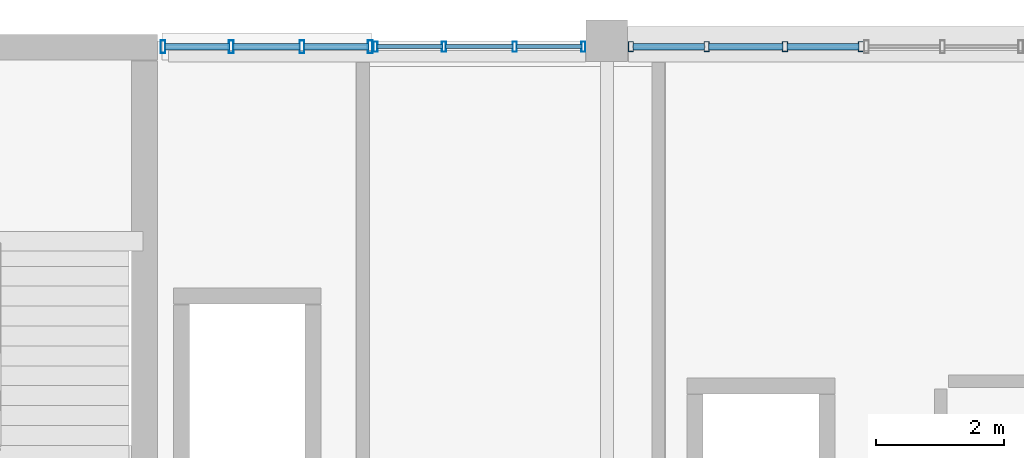
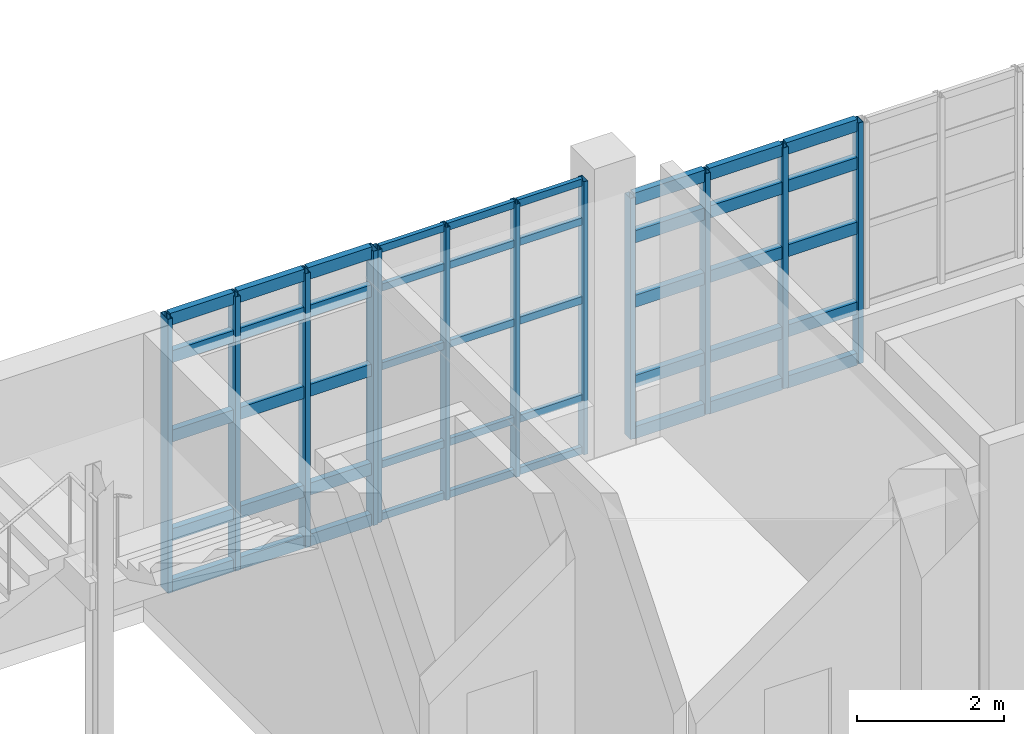
# One storey, part 44 of 100: 57 members, 3 elements without a shape of their own.
"""IFC4 building model written with IfcOpenShell, lengths in metres."""

from ifc_helpers import new_model, si_unit, derived_unit, direction, frame, origin, origin_2d, place, context, subcontext, project, spatial, hollow_rectangle, extrude, material, layer, layer_set, material_profile, profile_set, type_object, element, aggregate, save


model = new_model("IFC4")

# Units and contexts
model_context = context("Model", 3, precision=1e-05, world=origin(), true_north=direction((0.0, 1.0)))
body_context = subcontext(model_context, "Body", "Model", "MODEL_VIEW")
ifc_project = project(units=[si_unit("LENGTHUNIT", "METRE"), si_unit("AREAUNIT", "SQUARE_METRE"), si_unit("VOLUMEUNIT", "CUBIC_METRE"), si_unit("PLANEANGLEUNIT", "RADIAN"), si_unit("MASSUNIT", "GRAM", prefix="KILO"), derived_unit("THERMALTRANSMITTANCEUNIT", [(si_unit("POWERUNIT", "WATT"), 1), (si_unit("LENGTHUNIT", "METRE"), -2), (si_unit("THERMODYNAMICTEMPERATUREUNIT", "KELVIN"), -1)])], contexts=[model_context])

# Site, building, storey
site_placement = place(None, origin())
site = spatial("IfcSite", under=ifc_project, at=site_placement, CompositionType="ELEMENT")
building_placement = place(site_placement, origin())
building = spatial("IfcBuilding", under=site, at=building_placement, Name="Nallur Shell Playhouse", CompositionType="ELEMENT")
storey_placement = place(building_placement, frame((0.0, 0.0, 10.199951171875)))
storey = spatial("IfcBuildingStorey", under=building, at=storey_placement, Name="L03", CompositionType="ELEMENT", Elevation=10.199951171875)

# Curtain wall, members
ifc_material_1 = material(Name="Anodised Aluminium Double-Glazed Facade System", Category="aluminium")
ifc_layer_1 = layer(ifc_material_1, 0.176025390625)
ifc_layer_set_1 = layer_set([ifc_layer_1], Name="Anodised Aluminium Double-Glazed Facade System")
curtain_wall_type_1 = type_object("IfcCurtainWallType", Name="CW-UNIT-10", PredefinedType="NOTDEFINED", material=ifc_layer_set_1)
curtain_wall_1_placement = place(storey_placement, origin())
curtain_wall_1 = element("IfcCurtainWall", 1, at=curtain_wall_1_placement, inside=storey, type_object=curtain_wall_type_1, Name="Unitised curtain wall CW-074 (L03)", PredefinedType="NOTDEFINED")
ifc_material_2 = material(Name="Aluminium Alloy 6063-T6 Mullion", Category="aluminium")
ifc_material_profile_1 = material_profile(ifc_material_2, hollow_rectangle(XDim=0.080078125, YDim=0.159912109375, WallThickness=0.006103515625, at=origin_2d()), Name="RHS 160x80x6")
ifc_profile_set_1 = profile_set([ifc_material_profile_1], Name="Aluminium Alloy 6063-T6 Mullion")
member_type_1 = type_object("IfcMemberType", Name="MB-CW-MUL150", PredefinedType="MULLION", material=ifc_profile_set_1)
member_1_placement = place(storey_placement, frame((40.373046875, 82.909912109375, -0.014892578125), z_axis=(0.0, 0.0, 1.0), x_axis=(1.0, 0.0, 0.0)))
member_1 = element("IfcMember", 2, at=member_1_placement, type_object=member_type_1, Name="CW-10 mullion 1", PredefinedType="MULLION", context=body_context, shape_type="SweptSolid", body=[
    extrude(hollow_rectangle(XDim=0.080078125, YDim=0.159912109375, WallThickness=0.006103515625, at=origin_2d()), origin(), (0.0, 0.0, 1.0), 4.00390625),
])
member_2_placement = place(storey_placement, frame((41.5537109375, 82.909912109375, -0.014892578125), z_axis=(0.0, 0.0, 1.0), x_axis=(1.0, 0.0, 0.0)))
member_2 = element("IfcMember", 3, at=member_2_placement, type_object=member_type_1, Name="CW-10 mullion 2", PredefinedType="MULLION", context=body_context, shape_type="SweptSolid", body=[
    extrude(hollow_rectangle(XDim=0.080078125, YDim=0.159912109375, WallThickness=0.006103515625, at=origin_2d()), origin(), (0.0, 0.0, 1.0), 4.00390625),
])
member_3_placement = place(storey_placement, frame((42.7744140625, 82.909912109375, -0.014892578125), z_axis=(0.0, 0.0, 1.0), x_axis=(1.0, 0.0, 0.0)))
member_3 = element("IfcMember", 4, at=member_3_placement, type_object=member_type_1, Name="CW-10 mullion 3", PredefinedType="MULLION", context=body_context, shape_type="SweptSolid", body=[
    extrude(hollow_rectangle(XDim=0.080078125, YDim=0.159912109375, WallThickness=0.006103515625, at=origin_2d()), origin(), (0.0, 0.0, 1.0), 4.00390625),
])
member_4_placement = place(storey_placement, frame((43.955078125, 82.909912109375, -0.014892578125), z_axis=(0.0, 0.0, 1.0), x_axis=(1.0, 0.0, 0.0)))
member_4 = element("IfcMember", 5, at=member_4_placement, type_object=member_type_1, Name="CW-10 mullion 4", PredefinedType="MULLION", context=body_context, shape_type="SweptSolid", body=[
    extrude(hollow_rectangle(XDim=0.080078125, YDim=0.159912109375, WallThickness=0.006103515625, at=origin_2d()), origin(), (0.0, 0.0, 1.0), 4.00390625),
])

ifc_layer_2 = layer(ifc_material_1, 0.172119140625)
ifc_layer_set_2 = layer_set([ifc_layer_2], Name="Anodised Aluminium Double-Glazed Facade System")
curtain_wall_type_2 = type_object("IfcCurtainWallType", Name="CW-UNIT-09", PredefinedType="NOTDEFINED", material=ifc_layer_set_2)
curtain_wall_2_placement = place(storey_placement, origin())
curtain_wall_2 = element("IfcCurtainWall", 6, at=curtain_wall_2_placement, inside=storey, type_object=curtain_wall_type_2, Name="Unitised curtain wall CW-073 (L03)", PredefinedType="NOTDEFINED")
ifc_material_profile_2 = material_profile(ifc_material_2, hollow_rectangle(XDim=0.06494140625, YDim=0.159912109375, WallThickness=0.00390625, at=origin_2d()), Name="ALU 65x160x4")
ifc_profile_set_2 = profile_set([ifc_material_profile_2], Name="Aluminium Alloy 6063-T6 Mullion")
member_type_2 = type_object("IfcMemberType", Name="MB-CW-MUL160", PredefinedType="MULLION", material=ifc_profile_set_2)
member_5_placement = place(storey_placement, frame((36.39599609375, 82.909912109375, -0.014892578125), z_axis=(0.0, 0.0, 1.0), x_axis=(1.0, 0.0, 0.0)))
member_5 = element("IfcMember", 7, at=member_5_placement, type_object=member_type_2, Name="CW-09 mullion 1", PredefinedType="MULLION", context=body_context, shape_type="SweptSolid", body=[
    extrude(hollow_rectangle(XDim=0.06494140625, YDim=0.159912109375, WallThickness=0.00390625, at=origin_2d()), origin(), (0.0, 0.0, 1.0), 4.5390625),
])
member_6_placement = place(storey_placement, frame((37.464599609375, 82.909912109375, -0.014892578125), z_axis=(0.0, 0.0, 1.0), x_axis=(1.0, 0.0, 0.0)))
member_6 = element("IfcMember", 8, at=member_6_placement, type_object=member_type_2, Name="CW-09 mullion 2", PredefinedType="MULLION", context=body_context, shape_type="SweptSolid", body=[
    extrude(hollow_rectangle(XDim=0.06494140625, YDim=0.159912109375, WallThickness=0.00390625, at=origin_2d()), origin(), (0.0, 0.0, 1.0), 4.5390625),
])
member_7_placement = place(storey_placement, frame((38.56591796875, 82.909912109375, -0.014892578125), z_axis=(0.0, 0.0, 1.0), x_axis=(1.0, 0.0, 0.0)))
member_7 = element("IfcMember", 9, at=member_7_placement, type_object=member_type_2, Name="CW-09 mullion 3", PredefinedType="MULLION", context=body_context, shape_type="SweptSolid", body=[
    extrude(hollow_rectangle(XDim=0.06494140625, YDim=0.159912109375, WallThickness=0.00390625, at=origin_2d()), origin(), (0.0, 0.0, 1.0), 4.5390625),
])
member_8_placement = place(storey_placement, frame((39.634521484375, 82.909912109375, -0.014892578125), z_axis=(0.0, 0.0, 1.0), x_axis=(1.0, 0.0, 0.0)))
member_8 = element("IfcMember", 10, at=member_8_placement, type_object=member_type_2, Name="CW-09 mullion 4", PredefinedType="MULLION", context=body_context, shape_type="SweptSolid", body=[
    extrude(hollow_rectangle(XDim=0.06494140625, YDim=0.159912109375, WallThickness=0.00390625, at=origin_2d()), origin(), (0.0, 0.0, 1.0), 4.5390625),
])

ifc_layer_3 = layer(ifc_material_1, 0.16796875)
ifc_layer_set_3 = layer_set([ifc_layer_3], Name="Anodised Aluminium Double-Glazed Facade System")
curtain_wall_type_3 = type_object("IfcCurtainWallType", Name="CW-UNIT-08", PredefinedType="NOTDEFINED", material=ifc_layer_set_3)
curtain_wall_3_placement = place(storey_placement, origin())
curtain_wall_3 = element("IfcCurtainWall", 11, at=curtain_wall_3_placement, inside=storey, type_object=curtain_wall_type_3, Name="Unitised curtain wall CW-072 (L03)", PredefinedType="NOTDEFINED")
ifc_material_profile_3 = material_profile(ifc_material_2, hollow_rectangle(XDim=0.074951171875, YDim=0.199951171875, WallThickness=0.0048828125, at=origin_2d()), Name="ALU 75x200x5")
ifc_profile_set_3 = profile_set([ifc_material_profile_3], Name="Aluminium Alloy 6063-T6 Mullion")
member_type_3 = type_object("IfcMemberType", Name="MB-CW-MUL180", PredefinedType="MULLION", material=ifc_profile_set_3)
member_9_placement = place(storey_placement, frame((33.08740234375, 82.909912109375, -0.014892578125), z_axis=(0.0, 0.0, 1.0), x_axis=(1.0, 0.0, 0.0)))
member_9 = element("IfcMember", 12, at=member_9_placement, type_object=member_type_3, Name="CW-08 mullion 1", PredefinedType="MULLION", context=body_context, shape_type="SweptSolid", body=[
    extrude(hollow_rectangle(XDim=0.074951171875, YDim=0.199951171875, WallThickness=0.0048828125, at=origin_2d()), origin(), (0.0, 0.0, 1.0), 4.558837890625),
])
member_10_placement = place(storey_placement, frame((34.151123046875, 82.909912109375, -0.014892578125), z_axis=(0.0, 0.0, 1.0), x_axis=(1.0, 0.0, 0.0)))
member_10 = element("IfcMember", 13, at=member_10_placement, type_object=member_type_3, Name="CW-08 mullion 2", PredefinedType="MULLION", context=body_context, shape_type="SweptSolid", body=[
    extrude(hollow_rectangle(XDim=0.074951171875, YDim=0.199951171875, WallThickness=0.0048828125, at=origin_2d()), origin(), (0.0, 0.0, 1.0), 4.558837890625),
])
member_11_placement = place(storey_placement, frame((35.25244140625, 82.909912109375, -0.014892578125), z_axis=(0.0, 0.0, 1.0), x_axis=(1.0, 0.0, 0.0)))
member_11 = element("IfcMember", 14, at=member_11_placement, type_object=member_type_3, Name="CW-08 mullion 3", PredefinedType="MULLION", context=body_context, shape_type="SweptSolid", body=[
    extrude(hollow_rectangle(XDim=0.074951171875, YDim=0.199951171875, WallThickness=0.0048828125, at=origin_2d()), origin(), (0.0, 0.0, 1.0), 4.558837890625),
])
member_12_placement = place(storey_placement, frame((36.31591796875, 82.909912109375, -0.014892578125), z_axis=(0.0, 0.0, 1.0), x_axis=(1.0, 0.0, 0.0)))
member_12 = element("IfcMember", 15, at=member_12_placement, type_object=member_type_3, Name="CW-08 mullion 4", PredefinedType="MULLION", context=body_context, shape_type="SweptSolid", body=[
    extrude(hollow_rectangle(XDim=0.074951171875, YDim=0.199951171875, WallThickness=0.0048828125, at=origin_2d()), origin(), (0.0, 0.0, 1.0), 4.558837890625),
])

# Member
ifc_material_3 = material(Name="Aluminium Alloy 6063-T6 Transom", Category="aluminium")
ifc_material_profile_4 = material_profile(ifc_material_3, hollow_rectangle(XDim=0.06494140625, YDim=0.1201171875, WallThickness=0.00390625, at=origin_2d()), Name="ALU 65x120x4")
ifc_profile_set_4 = profile_set([ifc_material_profile_4], Name="Aluminium Alloy 6063-T6 Transom")
member_type_4 = type_object("IfcMemberType", Name="MB-CW-TRN120", PredefinedType="USERDEFINED", material=ifc_profile_set_4)
member_13_placement = place(storey_placement, frame((36.42041015625, 82.909912109375, 0.032470703125), z_axis=(1.0, 0.0, 0.0), x_axis=(0.0, 1.0, 0.0)))
member_13 = element("IfcMember", 16, at=member_13_placement, type_object=member_type_4, Name="CW-09 transom 1.1", ObjectType="TRANSOM", PredefinedType="USERDEFINED", context=body_context, shape_type="SweptSolid", body=[
    extrude(hollow_rectangle(XDim=0.06494140625, YDim=0.1201171875, WallThickness=0.00390625, at=origin_2d()), origin(), (0.0, 0.0, 1.0), 1.019775390625),
])

member_14_placement = place(storey_placement, frame((36.42041015625, 82.909912109375, 0.900146484375), z_axis=(1.0, 0.0, 0.0), x_axis=(0.0, 1.0, 0.0)))
member_14 = element("IfcMember", 17, at=member_14_placement, type_object=member_type_4, Name="CW-09 transom 1.2", ObjectType="TRANSOM", PredefinedType="USERDEFINED", context=body_context, shape_type="SweptSolid", body=[
    extrude(hollow_rectangle(XDim=0.06494140625, YDim=0.1201171875, WallThickness=0.00390625, at=origin_2d()), origin(), (0.0, 0.0, 1.0), 1.019775390625),
])

member_15_placement = place(storey_placement, frame((36.42041015625, 82.909912109375, 2.531005859375), z_axis=(1.0, 0.0, 0.0), x_axis=(0.0, 1.0, 0.0)))
member_15 = element("IfcMember", 18, at=member_15_placement, type_object=member_type_4, Name="CW-09 transom 1.3", ObjectType="TRANSOM", PredefinedType="USERDEFINED", context=body_context, shape_type="SweptSolid", body=[
    extrude(hollow_rectangle(XDim=0.06494140625, YDim=0.1201171875, WallThickness=0.00390625, at=origin_2d()), origin(), (0.0, 0.0, 1.0), 1.019775390625),
])

member_16_placement = place(storey_placement, frame((36.42041015625, 82.909912109375, 3.840087890625), z_axis=(1.0, 0.0, 0.0), x_axis=(0.0, 1.0, 0.0)))
member_16 = element("IfcMember", 19, at=member_16_placement, type_object=member_type_4, Name="CW-09 transom 1.4", ObjectType="TRANSOM", PredefinedType="USERDEFINED", context=body_context, shape_type="SweptSolid", body=[
    extrude(hollow_rectangle(XDim=0.06494140625, YDim=0.1201171875, WallThickness=0.00390625, at=origin_2d()), origin(), (0.0, 0.0, 1.0), 1.019775390625),
])

member_17_placement = place(storey_placement, frame((36.42041015625, 82.909912109375, 4.487548828125), z_axis=(1.0, 0.0, 0.0), x_axis=(0.0, 1.0, 0.0)))
member_17 = element("IfcMember", 20, at=member_17_placement, type_object=member_type_4, Name="CW-09 transom 1.5", ObjectType="TRANSOM", PredefinedType="USERDEFINED", context=body_context, shape_type="SweptSolid", body=[
    extrude(hollow_rectangle(XDim=0.06494140625, YDim=0.1201171875, WallThickness=0.00390625, at=origin_2d()), origin(), (0.0, 0.0, 1.0), 1.019775390625),
])

member_18_placement = place(storey_placement, frame((37.4892578125, 82.909912109375, 0.032470703125), z_axis=(1.0, 0.0, 0.0), x_axis=(0.0, 1.0, 0.0)))
member_18 = element("IfcMember", 21, at=member_18_placement, type_object=member_type_4, Name="CW-09 transom 2.1", ObjectType="TRANSOM", PredefinedType="USERDEFINED", context=body_context, shape_type="SweptSolid", body=[
    extrude(hollow_rectangle(XDim=0.06494140625, YDim=0.1201171875, WallThickness=0.00390625, at=origin_2d()), origin(), (0.0, 0.0, 1.0), 1.052001953125),
])

member_19_placement = place(storey_placement, frame((37.4892578125, 82.909912109375, 0.900146484375), z_axis=(1.0, 0.0, 0.0), x_axis=(0.0, 1.0, 0.0)))
member_19 = element("IfcMember", 22, at=member_19_placement, type_object=member_type_4, Name="CW-09 transom 2.2", ObjectType="TRANSOM", PredefinedType="USERDEFINED", context=body_context, shape_type="SweptSolid", body=[
    extrude(hollow_rectangle(XDim=0.06494140625, YDim=0.1201171875, WallThickness=0.00390625, at=origin_2d()), origin(), (0.0, 0.0, 1.0), 1.052001953125),
])

member_20_placement = place(storey_placement, frame((37.4892578125, 82.909912109375, 2.531005859375), z_axis=(1.0, 0.0, 0.0), x_axis=(0.0, 1.0, 0.0)))
member_20 = element("IfcMember", 23, at=member_20_placement, type_object=member_type_4, Name="CW-09 transom 2.3", ObjectType="TRANSOM", PredefinedType="USERDEFINED", context=body_context, shape_type="SweptSolid", body=[
    extrude(hollow_rectangle(XDim=0.06494140625, YDim=0.1201171875, WallThickness=0.00390625, at=origin_2d()), origin(), (0.0, 0.0, 1.0), 1.052001953125),
])

member_21_placement = place(storey_placement, frame((37.4892578125, 82.909912109375, 3.840087890625), z_axis=(1.0, 0.0, 0.0), x_axis=(0.0, 1.0, 0.0)))
member_21 = element("IfcMember", 24, at=member_21_placement, type_object=member_type_4, Name="CW-09 transom 2.4", ObjectType="TRANSOM", PredefinedType="USERDEFINED", context=body_context, shape_type="SweptSolid", body=[
    extrude(hollow_rectangle(XDim=0.06494140625, YDim=0.1201171875, WallThickness=0.00390625, at=origin_2d()), origin(), (0.0, 0.0, 1.0), 1.052001953125),
])

member_22_placement = place(storey_placement, frame((37.4892578125, 82.909912109375, 4.487548828125), z_axis=(1.0, 0.0, 0.0), x_axis=(0.0, 1.0, 0.0)))
member_22 = element("IfcMember", 25, at=member_22_placement, type_object=member_type_4, Name="CW-09 transom 2.5", ObjectType="TRANSOM", PredefinedType="USERDEFINED", context=body_context, shape_type="SweptSolid", body=[
    extrude(hollow_rectangle(XDim=0.06494140625, YDim=0.1201171875, WallThickness=0.00390625, at=origin_2d()), origin(), (0.0, 0.0, 1.0), 1.052001953125),
])

member_23_placement = place(storey_placement, frame((38.59033203125, 82.909912109375, 0.032470703125), z_axis=(1.0, 0.0, 0.0), x_axis=(0.0, 1.0, 0.0)))
member_23 = element("IfcMember", 26, at=member_23_placement, type_object=member_type_4, Name="CW-09 transom 3.1", ObjectType="TRANSOM", PredefinedType="USERDEFINED", context=body_context, shape_type="SweptSolid", body=[
    extrude(hollow_rectangle(XDim=0.06494140625, YDim=0.1201171875, WallThickness=0.00390625, at=origin_2d()), origin(), (0.0, 0.0, 1.0), 1.019775390625),
])

member_24_placement = place(storey_placement, frame((38.59033203125, 82.909912109375, 0.900146484375), z_axis=(1.0, 0.0, 0.0), x_axis=(0.0, 1.0, 0.0)))
member_24 = element("IfcMember", 27, at=member_24_placement, type_object=member_type_4, Name="CW-09 transom 3.2", ObjectType="TRANSOM", PredefinedType="USERDEFINED", context=body_context, shape_type="SweptSolid", body=[
    extrude(hollow_rectangle(XDim=0.06494140625, YDim=0.1201171875, WallThickness=0.00390625, at=origin_2d()), origin(), (0.0, 0.0, 1.0), 1.019775390625),
])

member_25_placement = place(storey_placement, frame((38.59033203125, 82.909912109375, 2.531005859375), z_axis=(1.0, 0.0, 0.0), x_axis=(0.0, 1.0, 0.0)))
member_25 = element("IfcMember", 28, at=member_25_placement, type_object=member_type_4, Name="CW-09 transom 3.3", ObjectType="TRANSOM", PredefinedType="USERDEFINED", context=body_context, shape_type="SweptSolid", body=[
    extrude(hollow_rectangle(XDim=0.06494140625, YDim=0.1201171875, WallThickness=0.00390625, at=origin_2d()), origin(), (0.0, 0.0, 1.0), 1.019775390625),
])

member_26_placement = place(storey_placement, frame((38.59033203125, 82.909912109375, 3.840087890625), z_axis=(1.0, 0.0, 0.0), x_axis=(0.0, 1.0, 0.0)))
member_26 = element("IfcMember", 29, at=member_26_placement, type_object=member_type_4, Name="CW-09 transom 3.4", ObjectType="TRANSOM", PredefinedType="USERDEFINED", context=body_context, shape_type="SweptSolid", body=[
    extrude(hollow_rectangle(XDim=0.06494140625, YDim=0.1201171875, WallThickness=0.00390625, at=origin_2d()), origin(), (0.0, 0.0, 1.0), 1.019775390625),
])

member_27_placement = place(storey_placement, frame((38.59033203125, 82.909912109375, 4.487548828125), z_axis=(1.0, 0.0, 0.0), x_axis=(0.0, 1.0, 0.0)))
member_27 = element("IfcMember", 30, at=member_27_placement, type_object=member_type_4, Name="CW-09 transom 3.5", ObjectType="TRANSOM", PredefinedType="USERDEFINED", context=body_context, shape_type="SweptSolid", body=[
    extrude(hollow_rectangle(XDim=0.06494140625, YDim=0.1201171875, WallThickness=0.00390625, at=origin_2d()), origin(), (0.0, 0.0, 1.0), 1.019775390625),
])

aggregate(curtain_wall_2, [member_5, member_6, member_7, member_8, member_13, member_14, member_15, member_16, member_17, member_18, member_19, member_20, member_21, member_22, member_23, member_24, member_25, member_26, member_27])

ifc_material_profile_5 = material_profile(ifc_material_3, hollow_rectangle(XDim=0.10009765625, YDim=0.199951171875, WallThickness=0.008056640625, at=origin_2d()), Name="RHS 200x100x8")
ifc_profile_set_5 = profile_set([ifc_material_profile_5], Name="Aluminium Alloy 6063-T6 Transom")
member_type_5 = type_object("IfcMemberType", Name="MB-CW-TRN140", PredefinedType="USERDEFINED", material=ifc_profile_set_5)
member_28_placement = place(storey_placement, frame((33.116943359375, 82.909912109375, 0.050048828125), z_axis=(1.0, 0.0, 0.0), x_axis=(0.0, 1.0, 0.0)))
member_28 = element("IfcMember", 31, at=member_28_placement, type_object=member_type_5, Name="CW-08 transom 1.1", ObjectType="TRANSOM", PredefinedType="USERDEFINED", context=body_context, shape_type="SweptSolid", body=[
    extrude(hollow_rectangle(XDim=0.10009765625, YDim=0.199951171875, WallThickness=0.008056640625, at=origin_2d()), origin(), (0.0, 0.0, 1.0), 1.004638671875),
])

member_29_placement = place(storey_placement, frame((33.116943359375, 82.909912109375, 0.900146484375), z_axis=(1.0, 0.0, 0.0), x_axis=(0.0, 1.0, 0.0)))
member_29 = element("IfcMember", 32, at=member_29_placement, type_object=member_type_5, Name="CW-08 transom 1.2", ObjectType="TRANSOM", PredefinedType="USERDEFINED", context=body_context, shape_type="SweptSolid", body=[
    extrude(hollow_rectangle(XDim=0.10009765625, YDim=0.199951171875, WallThickness=0.008056640625, at=origin_2d()), origin(), (0.0, 0.0, 1.0), 1.004638671875),
])

member_30_placement = place(storey_placement, frame((33.116943359375, 82.909912109375, 2.5419921875), z_axis=(1.0, 0.0, 0.0), x_axis=(0.0, 1.0, 0.0)))
member_30 = element("IfcMember", 33, at=member_30_placement, type_object=member_type_5, Name="CW-08 transom 1.3", ObjectType="TRANSOM", PredefinedType="USERDEFINED", context=body_context, shape_type="SweptSolid", body=[
    extrude(hollow_rectangle(XDim=0.10009765625, YDim=0.199951171875, WallThickness=0.008056640625, at=origin_2d()), origin(), (0.0, 0.0, 1.0), 1.004638671875),
])

member_31_placement = place(storey_placement, frame((33.116943359375, 82.909912109375, 3.860107421875), z_axis=(1.0, 0.0, 0.0), x_axis=(0.0, 1.0, 0.0)))
member_31 = element("IfcMember", 34, at=member_31_placement, type_object=member_type_5, Name="CW-08 transom 1.4", ObjectType="TRANSOM", PredefinedType="USERDEFINED", context=body_context, shape_type="SweptSolid", body=[
    extrude(hollow_rectangle(XDim=0.10009765625, YDim=0.199951171875, WallThickness=0.008056640625, at=origin_2d()), origin(), (0.0, 0.0, 1.0), 1.004638671875),
])

member_32_placement = place(storey_placement, frame((33.116943359375, 82.909912109375, 4.489990234375), z_axis=(1.0, 0.0, 0.0), x_axis=(0.0, 1.0, 0.0)))
member_32 = element("IfcMember", 35, at=member_32_placement, type_object=member_type_5, Name="CW-08 transom 1.5", ObjectType="TRANSOM", PredefinedType="USERDEFINED", context=body_context, shape_type="SweptSolid", body=[
    extrude(hollow_rectangle(XDim=0.10009765625, YDim=0.199951171875, WallThickness=0.008056640625, at=origin_2d()), origin(), (0.0, 0.0, 1.0), 1.004638671875),
])

member_33_placement = place(storey_placement, frame((34.1806640625, 82.909912109375, 0.050048828125), z_axis=(1.0, 0.0, 0.0), x_axis=(0.0, 1.0, 0.0)))
member_33 = element("IfcMember", 36, at=member_33_placement, type_object=member_type_5, Name="CW-08 transom 2.1", ObjectType="TRANSOM", PredefinedType="USERDEFINED", context=body_context, shape_type="SweptSolid", body=[
    extrude(hollow_rectangle(XDim=0.10009765625, YDim=0.199951171875, WallThickness=0.008056640625, at=origin_2d()), origin(), (0.0, 0.0, 1.0), 1.042236328125),
])

member_34_placement = place(storey_placement, frame((34.1806640625, 82.909912109375, 0.900146484375), z_axis=(1.0, 0.0, 0.0), x_axis=(0.0, 1.0, 0.0)))
member_34 = element("IfcMember", 37, at=member_34_placement, type_object=member_type_5, Name="CW-08 transom 2.2", ObjectType="TRANSOM", PredefinedType="USERDEFINED", context=body_context, shape_type="SweptSolid", body=[
    extrude(hollow_rectangle(XDim=0.10009765625, YDim=0.199951171875, WallThickness=0.008056640625, at=origin_2d()), origin(), (0.0, 0.0, 1.0), 1.042236328125),
])

member_35_placement = place(storey_placement, frame((34.1806640625, 82.909912109375, 2.5419921875), z_axis=(1.0, 0.0, 0.0), x_axis=(0.0, 1.0, 0.0)))
member_35 = element("IfcMember", 38, at=member_35_placement, type_object=member_type_5, Name="CW-08 transom 2.3", ObjectType="TRANSOM", PredefinedType="USERDEFINED", context=body_context, shape_type="SweptSolid", body=[
    extrude(hollow_rectangle(XDim=0.10009765625, YDim=0.199951171875, WallThickness=0.008056640625, at=origin_2d()), origin(), (0.0, 0.0, 1.0), 1.042236328125),
])

member_36_placement = place(storey_placement, frame((34.1806640625, 82.909912109375, 3.860107421875), z_axis=(1.0, 0.0, 0.0), x_axis=(0.0, 1.0, 0.0)))
member_36 = element("IfcMember", 39, at=member_36_placement, type_object=member_type_5, Name="CW-08 transom 2.4", ObjectType="TRANSOM", PredefinedType="USERDEFINED", context=body_context, shape_type="SweptSolid", body=[
    extrude(hollow_rectangle(XDim=0.10009765625, YDim=0.199951171875, WallThickness=0.008056640625, at=origin_2d()), origin(), (0.0, 0.0, 1.0), 1.042236328125),
])

member_37_placement = place(storey_placement, frame((34.1806640625, 82.909912109375, 4.489990234375), z_axis=(1.0, 0.0, 0.0), x_axis=(0.0, 1.0, 0.0)))
member_37 = element("IfcMember", 40, at=member_37_placement, type_object=member_type_5, Name="CW-08 transom 2.5", ObjectType="TRANSOM", PredefinedType="USERDEFINED", context=body_context, shape_type="SweptSolid", body=[
    extrude(hollow_rectangle(XDim=0.10009765625, YDim=0.199951171875, WallThickness=0.008056640625, at=origin_2d()), origin(), (0.0, 0.0, 1.0), 1.042236328125),
])

member_38_placement = place(storey_placement, frame((35.28173828125, 82.909912109375, 0.050048828125), z_axis=(1.0, 0.0, 0.0), x_axis=(0.0, 1.0, 0.0)))
member_38 = element("IfcMember", 41, at=member_38_placement, type_object=member_type_5, Name="CW-08 transom 3.1", ObjectType="TRANSOM", PredefinedType="USERDEFINED", context=body_context, shape_type="SweptSolid", body=[
    extrude(hollow_rectangle(XDim=0.10009765625, YDim=0.199951171875, WallThickness=0.008056640625, at=origin_2d()), origin(), (0.0, 0.0, 1.0), 1.0048828125),
])

member_39_placement = place(storey_placement, frame((35.28173828125, 82.909912109375, 0.900146484375), z_axis=(1.0, 0.0, 0.0), x_axis=(0.0, 1.0, 0.0)))
member_39 = element("IfcMember", 42, at=member_39_placement, type_object=member_type_5, Name="CW-08 transom 3.2", ObjectType="TRANSOM", PredefinedType="USERDEFINED", context=body_context, shape_type="SweptSolid", body=[
    extrude(hollow_rectangle(XDim=0.10009765625, YDim=0.199951171875, WallThickness=0.008056640625, at=origin_2d()), origin(), (0.0, 0.0, 1.0), 1.0048828125),
])

member_40_placement = place(storey_placement, frame((35.28173828125, 82.909912109375, 2.5419921875), z_axis=(1.0, 0.0, 0.0), x_axis=(0.0, 1.0, 0.0)))
member_40 = element("IfcMember", 43, at=member_40_placement, type_object=member_type_5, Name="CW-08 transom 3.3", ObjectType="TRANSOM", PredefinedType="USERDEFINED", context=body_context, shape_type="SweptSolid", body=[
    extrude(hollow_rectangle(XDim=0.10009765625, YDim=0.199951171875, WallThickness=0.008056640625, at=origin_2d()), origin(), (0.0, 0.0, 1.0), 1.0048828125),
])

member_41_placement = place(storey_placement, frame((35.28173828125, 82.909912109375, 3.860107421875), z_axis=(1.0, 0.0, 0.0), x_axis=(0.0, 1.0, 0.0)))
member_41 = element("IfcMember", 44, at=member_41_placement, type_object=member_type_5, Name="CW-08 transom 3.4", ObjectType="TRANSOM", PredefinedType="USERDEFINED", context=body_context, shape_type="SweptSolid", body=[
    extrude(hollow_rectangle(XDim=0.10009765625, YDim=0.199951171875, WallThickness=0.008056640625, at=origin_2d()), origin(), (0.0, 0.0, 1.0), 1.0048828125),
])

member_42_placement = place(storey_placement, frame((35.28173828125, 82.909912109375, 4.489990234375), z_axis=(1.0, 0.0, 0.0), x_axis=(0.0, 1.0, 0.0)))
member_42 = element("IfcMember", 45, at=member_42_placement, type_object=member_type_5, Name="CW-08 transom 3.5", ObjectType="TRANSOM", PredefinedType="USERDEFINED", context=body_context, shape_type="SweptSolid", body=[
    extrude(hollow_rectangle(XDim=0.10009765625, YDim=0.199951171875, WallThickness=0.008056640625, at=origin_2d()), origin(), (0.0, 0.0, 1.0), 1.0048828125),
])

aggregate(curtain_wall_3, [member_9, member_10, member_11, member_12, member_28, member_29, member_30, member_31, member_32, member_33, member_34, member_35, member_36, member_37, member_38, member_39, member_40, member_41, member_42])

member_43_placement = place(storey_placement, frame((40.405029296875, 82.909912109375, 0.050048828125), z_axis=(1.0, 0.0, 0.0), x_axis=(0.0, 1.0, 0.0)))
member_43 = element("IfcMember", 46, at=member_43_placement, type_object=member_type_5, Name="CW-10 transom 1.1", ObjectType="TRANSOM", PredefinedType="USERDEFINED", context=body_context, shape_type="SweptSolid", body=[
    extrude(hollow_rectangle(XDim=0.10009765625, YDim=0.199951171875, WallThickness=0.008056640625, at=origin_2d()), origin(), (0.0, 0.0, 1.0), 1.11669921875),
])

member_44_placement = place(storey_placement, frame((40.405029296875, 82.909912109375, 0.900146484375), z_axis=(1.0, 0.0, 0.0), x_axis=(0.0, 1.0, 0.0)))
member_44 = element("IfcMember", 47, at=member_44_placement, type_object=member_type_5, Name="CW-10 transom 1.2", ObjectType="TRANSOM", PredefinedType="USERDEFINED", context=body_context, shape_type="SweptSolid", body=[
    extrude(hollow_rectangle(XDim=0.10009765625, YDim=0.199951171875, WallThickness=0.008056640625, at=origin_2d()), origin(), (0.0, 0.0, 1.0), 1.11669921875),
])

member_45_placement = place(storey_placement, frame((40.405029296875, 82.909912109375, 2.23193359375), z_axis=(1.0, 0.0, 0.0), x_axis=(0.0, 1.0, 0.0)))
member_45 = element("IfcMember", 48, at=member_45_placement, type_object=member_type_5, Name="CW-10 transom 1.3", ObjectType="TRANSOM", PredefinedType="USERDEFINED", context=body_context, shape_type="SweptSolid", body=[
    extrude(hollow_rectangle(XDim=0.10009765625, YDim=0.199951171875, WallThickness=0.008056640625, at=origin_2d()), origin(), (0.0, 0.0, 1.0), 1.11669921875),
])

member_46_placement = place(storey_placement, frame((40.405029296875, 82.909912109375, 3.304931640625), z_axis=(1.0, 0.0, 0.0), x_axis=(0.0, 1.0, 0.0)))
member_46 = element("IfcMember", 49, at=member_46_placement, type_object=member_type_5, Name="CW-10 transom 1.4", ObjectType="TRANSOM", PredefinedType="USERDEFINED", context=body_context, shape_type="SweptSolid", body=[
    extrude(hollow_rectangle(XDim=0.10009765625, YDim=0.199951171875, WallThickness=0.008056640625, at=origin_2d()), origin(), (0.0, 0.0, 1.0), 1.11669921875),
])

member_47_placement = place(storey_placement, frame((40.405029296875, 82.909912109375, 3.93505859375), z_axis=(1.0, 0.0, 0.0), x_axis=(0.0, 1.0, 0.0)))
member_47 = element("IfcMember", 50, at=member_47_placement, type_object=member_type_5, Name="CW-10 transom 1.5", ObjectType="TRANSOM", PredefinedType="USERDEFINED", context=body_context, shape_type="SweptSolid", body=[
    extrude(hollow_rectangle(XDim=0.10009765625, YDim=0.199951171875, WallThickness=0.008056640625, at=origin_2d()), origin(), (0.0, 0.0, 1.0), 1.11669921875),
])

member_48_placement = place(storey_placement, frame((41.585693359375, 82.909912109375, 0.050048828125), z_axis=(1.0, 0.0, 0.0), x_axis=(0.0, 1.0, 0.0)))
member_48 = element("IfcMember", 51, at=member_48_placement, type_object=member_type_5, Name="CW-10 transom 2.1", ObjectType="TRANSOM", PredefinedType="USERDEFINED", context=body_context, shape_type="SweptSolid", body=[
    extrude(hollow_rectangle(XDim=0.10009765625, YDim=0.199951171875, WallThickness=0.008056640625, at=origin_2d()), origin(), (0.0, 0.0, 1.0), 1.15673828125),
])

member_49_placement = place(storey_placement, frame((41.585693359375, 82.909912109375, 0.900146484375), z_axis=(1.0, 0.0, 0.0), x_axis=(0.0, 1.0, 0.0)))
member_49 = element("IfcMember", 52, at=member_49_placement, type_object=member_type_5, Name="CW-10 transom 2.2", ObjectType="TRANSOM", PredefinedType="USERDEFINED", context=body_context, shape_type="SweptSolid", body=[
    extrude(hollow_rectangle(XDim=0.10009765625, YDim=0.199951171875, WallThickness=0.008056640625, at=origin_2d()), origin(), (0.0, 0.0, 1.0), 1.15673828125),
])

member_50_placement = place(storey_placement, frame((41.585693359375, 82.909912109375, 2.23193359375), z_axis=(1.0, 0.0, 0.0), x_axis=(0.0, 1.0, 0.0)))
member_50 = element("IfcMember", 53, at=member_50_placement, type_object=member_type_5, Name="CW-10 transom 2.3", ObjectType="TRANSOM", PredefinedType="USERDEFINED", context=body_context, shape_type="SweptSolid", body=[
    extrude(hollow_rectangle(XDim=0.10009765625, YDim=0.199951171875, WallThickness=0.008056640625, at=origin_2d()), origin(), (0.0, 0.0, 1.0), 1.15673828125),
])

member_51_placement = place(storey_placement, frame((41.585693359375, 82.909912109375, 3.304931640625), z_axis=(1.0, 0.0, 0.0), x_axis=(0.0, 1.0, 0.0)))
member_51 = element("IfcMember", 54, at=member_51_placement, type_object=member_type_5, Name="CW-10 transom 2.4", ObjectType="TRANSOM", PredefinedType="USERDEFINED", context=body_context, shape_type="SweptSolid", body=[
    extrude(hollow_rectangle(XDim=0.10009765625, YDim=0.199951171875, WallThickness=0.008056640625, at=origin_2d()), origin(), (0.0, 0.0, 1.0), 1.15673828125),
])

member_52_placement = place(storey_placement, frame((41.585693359375, 82.909912109375, 3.93505859375), z_axis=(1.0, 0.0, 0.0), x_axis=(0.0, 1.0, 0.0)))
member_52 = element("IfcMember", 55, at=member_52_placement, type_object=member_type_5, Name="CW-10 transom 2.5", ObjectType="TRANSOM", PredefinedType="USERDEFINED", context=body_context, shape_type="SweptSolid", body=[
    extrude(hollow_rectangle(XDim=0.10009765625, YDim=0.199951171875, WallThickness=0.008056640625, at=origin_2d()), origin(), (0.0, 0.0, 1.0), 1.15673828125),
])

member_53_placement = place(storey_placement, frame((42.806396484375, 82.909912109375, 0.050048828125), z_axis=(1.0, 0.0, 0.0), x_axis=(0.0, 1.0, 0.0)))
member_53 = element("IfcMember", 56, at=member_53_placement, type_object=member_type_5, Name="CW-10 transom 3.1", ObjectType="TRANSOM", PredefinedType="USERDEFINED", context=body_context, shape_type="SweptSolid", body=[
    extrude(hollow_rectangle(XDim=0.10009765625, YDim=0.199951171875, WallThickness=0.008056640625, at=origin_2d()), origin(), (0.0, 0.0, 1.0), 1.11669921875),
])

member_54_placement = place(storey_placement, frame((42.806396484375, 82.909912109375, 0.900146484375), z_axis=(1.0, 0.0, 0.0), x_axis=(0.0, 1.0, 0.0)))
member_54 = element("IfcMember", 57, at=member_54_placement, type_object=member_type_5, Name="CW-10 transom 3.2", ObjectType="TRANSOM", PredefinedType="USERDEFINED", context=body_context, shape_type="SweptSolid", body=[
    extrude(hollow_rectangle(XDim=0.10009765625, YDim=0.199951171875, WallThickness=0.008056640625, at=origin_2d()), origin(), (0.0, 0.0, 1.0), 1.11669921875),
])

member_55_placement = place(storey_placement, frame((42.806396484375, 82.909912109375, 2.23193359375), z_axis=(1.0, 0.0, 0.0), x_axis=(0.0, 1.0, 0.0)))
member_55 = element("IfcMember", 58, at=member_55_placement, type_object=member_type_5, Name="CW-10 transom 3.3", ObjectType="TRANSOM", PredefinedType="USERDEFINED", context=body_context, shape_type="SweptSolid", body=[
    extrude(hollow_rectangle(XDim=0.10009765625, YDim=0.199951171875, WallThickness=0.008056640625, at=origin_2d()), origin(), (0.0, 0.0, 1.0), 1.11669921875),
])

member_56_placement = place(storey_placement, frame((42.806396484375, 82.909912109375, 3.304931640625), z_axis=(1.0, 0.0, 0.0), x_axis=(0.0, 1.0, 0.0)))
member_56 = element("IfcMember", 59, at=member_56_placement, type_object=member_type_5, Name="CW-10 transom 3.4", ObjectType="TRANSOM", PredefinedType="USERDEFINED", context=body_context, shape_type="SweptSolid", body=[
    extrude(hollow_rectangle(XDim=0.10009765625, YDim=0.199951171875, WallThickness=0.008056640625, at=origin_2d()), origin(), (0.0, 0.0, 1.0), 1.11669921875),
])

member_57_placement = place(storey_placement, frame((42.806396484375, 82.909912109375, 3.93505859375), z_axis=(1.0, 0.0, 0.0), x_axis=(0.0, 1.0, 0.0)))
member_57 = element("IfcMember", 60, at=member_57_placement, type_object=member_type_5, Name="CW-10 transom 3.5", ObjectType="TRANSOM", PredefinedType="USERDEFINED", context=body_context, shape_type="SweptSolid", body=[
    extrude(hollow_rectangle(XDim=0.10009765625, YDim=0.199951171875, WallThickness=0.008056640625, at=origin_2d()), origin(), (0.0, 0.0, 1.0), 1.11669921875),
])

aggregate(curtain_wall_1, [member_1, member_2, member_3, member_4, member_43, member_44, member_45, member_46, member_47, member_48, member_49, member_50, member_51, member_52, member_53, member_54, member_55, member_56, member_57])

save(model, "model.ifc")
